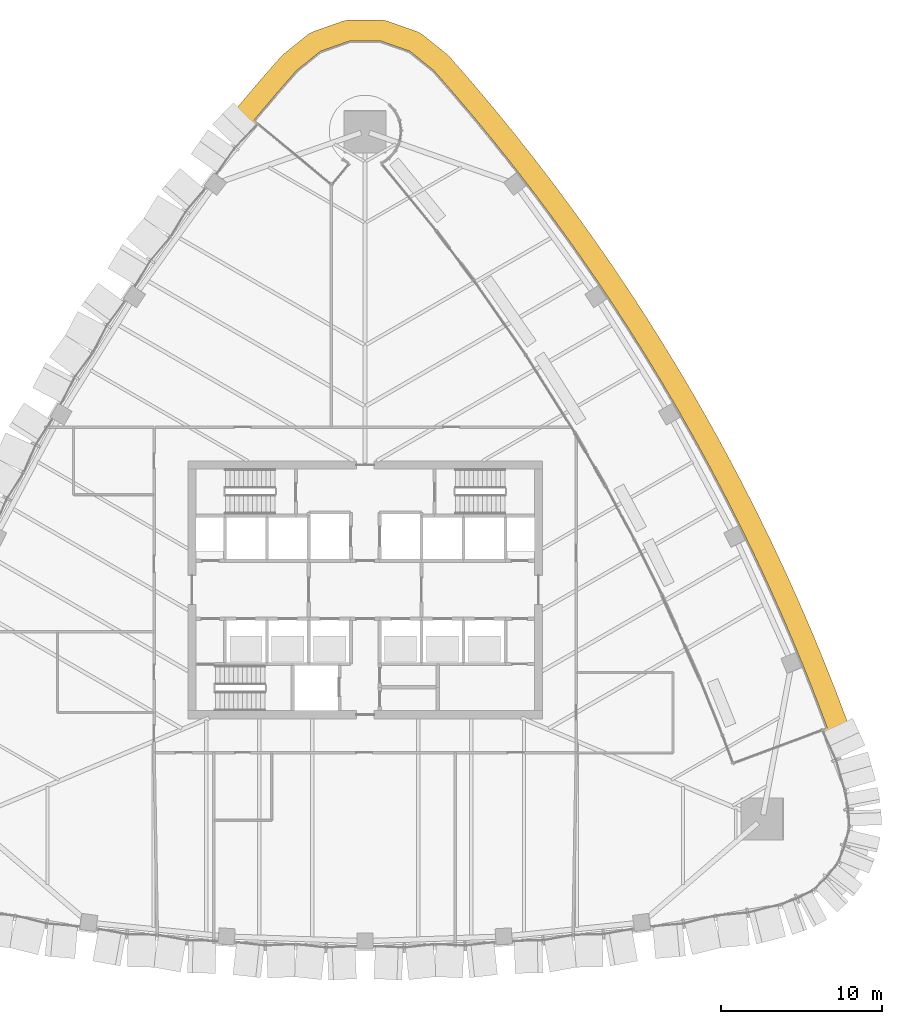
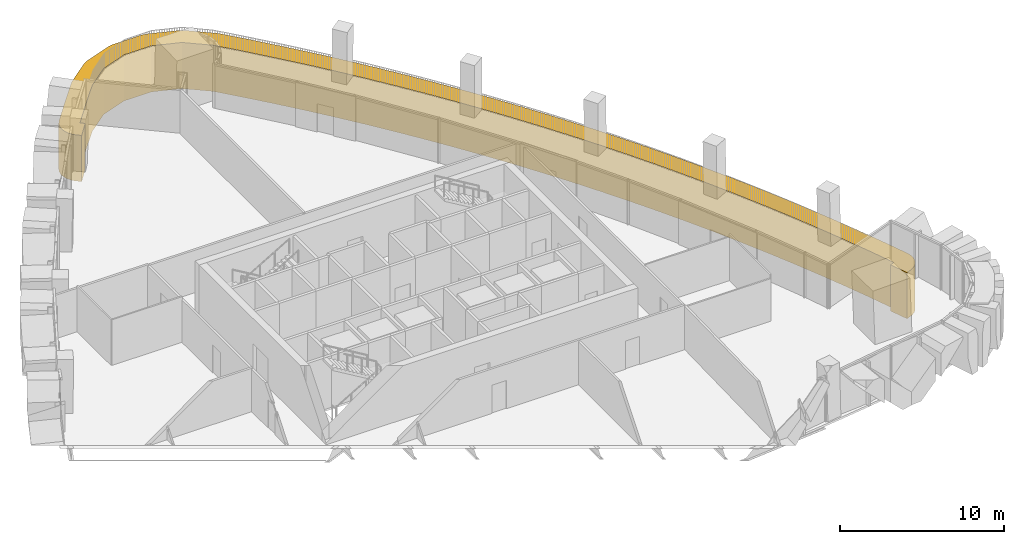
# One storey, part 21 of 22: 1 covering.
"""IFC4 building model written with IfcOpenShell, lengths in metres."""

from ifc_helpers import new_model, si_unit, direction, frame, origin, place, context, subcontext, project, spatial, polyline, outline, extrude, material, layer, layer_set, type_object, element, save


model = new_model("IFC4")

# Units and contexts
model_context = context("Model", 3, precision=1e-05, world=origin(), true_north=direction((0.0, 1.0)))
body_context = subcontext(model_context, "Body", "Model", "MODEL_VIEW")
ifc_project = project(units=[si_unit("LENGTHUNIT", "METRE"), si_unit("AREAUNIT", "SQUARE_METRE"), si_unit("VOLUMEUNIT", "CUBIC_METRE"), si_unit("PLANEANGLEUNIT", "RADIAN"), si_unit("MASSUNIT", "GRAM", prefix="KILO")], contexts=[model_context])

# Site, building, storey
site_placement = place(None, origin())
site = spatial("IfcSite", under=ifc_project, at=site_placement, CompositionType="ELEMENT")
building_placement = place(site_placement, origin())
building = spatial("IfcBuilding", under=site, at=building_placement, Name="Sierra Prisma Convention Tower", CompositionType="ELEMENT")
storey_placement = place(building_placement, frame((0.0, 0.0, 141.800048828125)))
storey = spatial("IfcBuildingStorey", under=building, at=storey_placement, Name="L30", CompositionType="ELEMENT", Elevation=141.800048828125)

# Covering
ifc_material = material(Name="Aluminium composite bronze anodised", Category="aluminium")
ifc_layer = layer(ifc_material, 1.300048828125)
ifc_layer_set = layer_set([ifc_layer], Name="Terrace fascia")
covering_type = type_object("IfcCoveringType", Name="Terrace fascia", PredefinedType="CLADDING", material=ifc_layer_set)
covering_placement = place(storey_placement, frame((0.0, 0.0, -3.400146484375)))
element("IfcCovering", 1, at=covering_placement, inside=storey, type_object=covering_type, Name="Terrace fascia L30.1", PredefinedType="CLADDING", context=body_context, shape_type="SweptSolid", body=[
    extrude(outline(polyline([(-7.739501953125, 28.130859375), (-7.91845703125, 28.31103515625), (-8.058837890625, 28.522705078125), (-8.155517578125, 28.7578125), (-8.20458984375, 29.007080078125), (-8.20458984375, 29.260986328125), (-8.15478515625, 29.51025390625), (-8.0576171875, 29.744873046875), (-7.916748046875, 29.956298828125), (-7.86328125, 30.021484375), (-7.850341796875, 30.037109375), (-6.5615234375, 31.56201171875), (-6.548583984375, 31.577392578125), (-5.236328125, 33.082275390625), (-5.070556640625, 33.241455078125), (-3.577880859375, 34.440673828125), (-3.3955078125, 34.563232421875), (-3.1953125, 34.653564453125), (-1.388916015625, 35.289306640625), (-1.17626953125, 35.34423828125), (-0.95751953125, 35.36279296875), (0.95751953125, 35.36279296875), (1.17626953125, 35.34423828125), (1.388916015625, 35.289306640625), (3.1953125, 34.653564453125), (3.3955078125, 34.563232421875), (3.577880859375, 34.440673828125), (5.070556640625, 33.241455078125), (5.236328125, 33.082275390625), (6.548583984375, 31.577392578125), (6.5615234375, 31.56201171875), (7.850341796875, 30.037109375), (7.86328125, 30.021484375), (9.128173828125, 28.476806640625), (9.140869140625, 28.461181640625), (10.381591796875, 26.896728515625), (10.39404296875, 26.881103515625), (11.610595703125, 25.297607421875), (11.622802734375, 25.28173828125), (12.814697265625, 23.6796875), (12.826416015625, 23.66357421875), (13.993408203125, 22.04345703125), (14.005126953125, 22.027099609375), (15.146728515625, 20.388916015625), (15.158203125, 20.372314453125), (16.2744140625, 18.716796875), (16.28564453125, 18.7001953125), (17.376220703125, 17.027587890625), (17.386962890625, 17.010498046875), (18.451416015625, 15.3212890625), (18.4619140625, 15.30419921875), (19.500244140625, 13.598876953125), (19.510498046875, 13.58154296875), (20.522216796875, 11.860107421875), (20.5322265625, 11.8427734375), (21.51708984375, 10.10595703125), (21.527099609375, 10.08837890625), (22.48486328125, 8.33642578125), (22.494384765625, 8.318603515625), (23.425048828125, 6.55224609375), (23.434326171875, 6.5341796875), (24.337646484375, 4.753662109375), (24.346435546875, 4.735595703125), (25.22216796875, 2.941162109375), (25.230712890625, 2.923095703125), (26.07861328125, 1.115234375), (26.0869140625, 1.096923828125), (26.906494140625, -0.7236328125), (26.91455078125, -0.7421875), (27.705810546875, -2.5751953125), (27.7138671875, -2.59375), (28.4765625, -4.43896484375), (28.484130859375, -4.45751953125), (29.218505859375, -6.314453125), (29.2255859375, -6.333251953125), (29.901123046875, -8.1220703125), (29.967529296875, -8.368896484375), (29.984375, -8.6240234375), (29.95068359375, -8.87744140625), (29.868408203125, -9.119384765625), (29.740234375, -9.340576171875), (29.5712890625, -9.532470703125), (29.367919921875, -9.6875), (29.13818359375, -9.7998046875), (28.843017578125, -9.90966796875), (28.3837890625, -8.693603515625), (28.68505859375, -8.581298828125), (28.009521484375, -6.79248046875), (27.275390625, -4.935791015625), (26.512451171875, -3.090576171875), (25.72119140625, -1.25732421875), (24.901611328125, 0.563232421875), (24.0537109375, 2.37109375), (23.17822265625, 4.16552734375), (22.27490234375, 5.9462890625), (21.34423828125, 7.712646484375), (20.386474609375, 9.464599609375), (19.4013671875, 11.201416015625), (18.389892578125, 12.9228515625), (17.3515625, 14.62841796875), (16.287109375, 16.317626953125), (15.196533203125, 17.989990234375), (14.080322265625, 19.6455078125), (12.938720703125, 21.28369140625), (11.771484375, 22.90380859375), (10.579833984375, 24.505615234375), (9.36328125, 26.0888671875), (8.122314453125, 27.653076171875), (6.857421875, 29.197998046875), (5.568603515625, 30.722900390625), (4.25634765625, 32.22802734375), (2.763671875, 33.42724609375), (0.95751953125, 34.06298828125), (-0.95751953125, 34.06298828125), (-2.763671875, 33.42724609375), (-4.25634765625, 32.22802734375), (-5.568603515625, 30.722900390625), (-6.857421875, 29.197998046875), (-6.910888671875, 29.132568359375), (-6.6630859375, 28.927734375), (-7.48681640625, 27.921875), (-7.739501953125, 28.130859375)])), origin(), (0.0, 0.0, 1.0), 3.440185546875),
])

save(model, "model.ifc")
